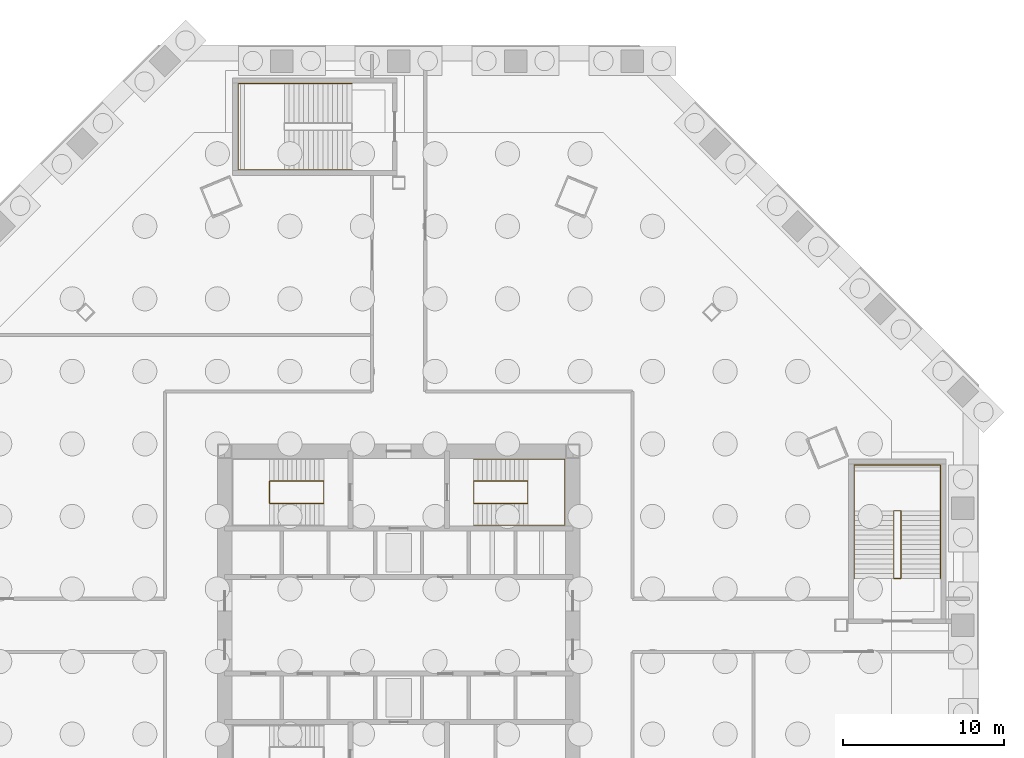
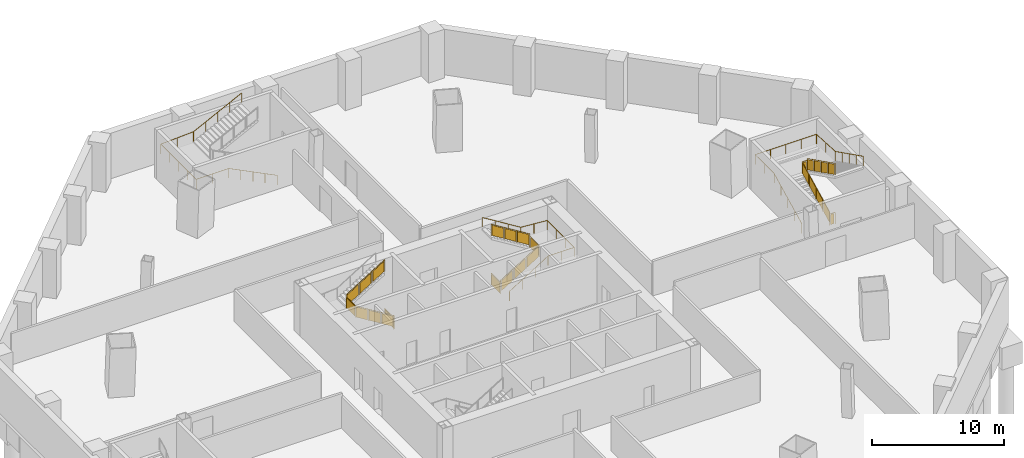
# One storey, part 9 of 11: 6 railings.
"""IFC4 building model written with IfcOpenShell, lengths in metres."""

from ifc_helpers import new_model, si_unit, direction, frame, origin, origin_2d, place, context, subcontext, project, spatial, polyline, circle, outline, extrude, material, type_object, element, save


model = new_model("IFC4")

# Units and contexts
model_context = context("Model", 3, precision=1e-05, world=origin(), true_north=direction((0.0, 1.0)))
body_context = subcontext(model_context, "Body", "Model", "MODEL_VIEW")
ifc_project = project(units=[si_unit("LENGTHUNIT", "METRE"), si_unit("AREAUNIT", "SQUARE_METRE"), si_unit("VOLUMEUNIT", "CUBIC_METRE"), si_unit("PLANEANGLEUNIT", "RADIAN"), si_unit("MASSUNIT", "GRAM", prefix="KILO")], contexts=[model_context])

# Site, building, storey
site_placement = place(None, origin())
site = spatial("IfcSite", under=ifc_project, at=site_placement, CompositionType="ELEMENT")
building_placement = place(site_placement, origin())
building = spatial("IfcBuilding", under=site, at=building_placement, Name="Mashrafa Tower", CompositionType="ELEMENT")
storey_placement = place(building_placement, frame((0.0, 0.0, -9.0)))
storey = spatial("IfcBuildingStorey", under=building, at=storey_placement, Name="B2", CompositionType="ELEMENT", Elevation=-9.0)

# Railings
ifc_material_1 = material(Name="Steel guard with glass infill", Category="steel")
railing_type_1 = type_object("IfcRailingType", Name="Stair guard 1100", PredefinedType="GUARDRAIL", material=ifc_material_1)
railing_1_placement = place(storey_placement, frame((-4.64990234375, 8.949951171875, 0.0)))
element("IfcRailing", 1, at=railing_1_placement, inside=storey, type_object=railing_type_1, Name="Stair S1 guard B2", PredefinedType="GUARDRAIL", context=body_context, shape_type="SweptSolid", body=[
    extrude(circle(Radius=0.02392578125, at=origin_2d()), frame((0.0, 0.0, 1.076171875), z_axis=(0.0, -1.0, 0.0), x_axis=(1.0, 0.0, 0.0)), (0.0, 0.0, 1.0), 1.39990234375),
    extrude(circle(Radius=0.02392578125, at=origin_2d()), frame((0.0, -1.39990234375, 1.076171875), z_axis=(0.0, 0.0, 1.0), x_axis=(1.0, 0.0, 0.0)), (0.0, 0.0, 1.0), 0.173095703125),
    extrude(circle(Radius=0.02392578125, at=origin_2d()), frame((0.0, -1.39990234375, 1.2490234375), z_axis=(-0.850623216509, 0.0, 0.525775754039), x_axis=(0.0, -1.0, 0.0)), (0.0, 0.0, 1.0), 3.9501953125),
    extrude(circle(Radius=0.02392578125, at=origin_2d()), frame((-3.360107421875, -1.39990234375, 3.326171875), z_axis=(0.0, 1.0, 0.0), x_axis=(-1.0, 0.0, 0.0)), (0.0, 0.0, 1.0), 1.39990234375),
    extrude(circle(Radius=0.02392578125, at=origin_2d()), frame((-3.360107421875, 0.0, 3.326171875), z_axis=(0.0, 0.0, 1.0), x_axis=(1.0, 0.0, 0.0)), (0.0, 0.0, 1.0), 0.173095703125),
    extrude(circle(Radius=0.02392578125, at=origin_2d()), frame((-3.360107421875, 0.0, 3.4990234375), z_axis=(0.850623216509, 0.0, 0.525775754039), x_axis=(0.0, 1.0, 0.0)), (0.0, 0.0, 1.0), 3.9501953125),
    extrude(circle(Radius=0.02099609375, at=origin_2d()), origin(), (0.0, 0.0, 1.0), 1.052001953125),
    extrude(circle(Radius=0.02099609375, at=origin_2d()), frame((0.0, -1.39990234375, 0.0)), (0.0, 0.0, 1.0), 1.052001953125),
    extrude(circle(Radius=0.02099609375, at=origin_2d()), frame((0.0, -1.39990234375, 0.173095703125)), (0.0, 0.0, 1.0), 1.052001953125),
    extrude(circle(Radius=0.02099609375, at=origin_2d()), frame((-1.1201171875, -1.39990234375, 0.865478515625)), (0.0, 0.0, 1.0), 1.052001953125),
    extrude(circle(Radius=0.02099609375, at=origin_2d()), frame((-2.239990234375, -1.39990234375, 1.5576171875)), (0.0, 0.0, 1.0), 1.052001953125),
    extrude(circle(Radius=0.02099609375, at=origin_2d()), frame((-3.360107421875, -1.39990234375, 2.25)), (0.0, 0.0, 1.0), 1.052001953125),
    extrude(circle(Radius=0.02099609375, at=origin_2d()), frame((-3.360107421875, 0.0, 2.25)), (0.0, 0.0, 1.0), 1.052001953125),
    extrude(circle(Radius=0.02099609375, at=origin_2d()), frame((-3.360107421875, 0.0, 2.423095703125)), (0.0, 0.0, 1.0), 1.052001953125),
    extrude(circle(Radius=0.02099609375, at=origin_2d()), frame((-2.239990234375, 0.0, 3.115478515625)), (0.0, 0.0, 1.0), 1.052001953125),
    extrude(circle(Radius=0.02099609375, at=origin_2d()), frame((-1.1201171875, 0.0, 3.8076171875)), (0.0, 0.0, 1.0), 1.052001953125),
    extrude(circle(Radius=0.02099609375, at=origin_2d()), frame((0.0, 0.0, 4.5)), (0.0, 0.0, 1.0), 1.052001953125),
    extrude(outline(polyline([(0.071044921875, 0.050048828125), (1.328857421875, 0.050048828125), (1.328857421875, 1.001953125), (0.071044921875, 1.001953125), (0.071044921875, 0.050048828125)])), frame((-0.006103515625, 0.0, 0.0), z_axis=(-1.0, 0.0, 0.0), x_axis=(0.0, -1.0, 0.0)), (0.0, 0.0, 1.0), 0.011962890625),
    extrude(outline(polyline([(0.071044921875, 0.093994140625), (1.049072265625, 0.698486328125), (1.049072265625, 1.650390625), (0.071044921875, 1.0458984375), (0.071044921875, 0.093994140625)])), frame((0.0, -1.393798828125, 0.173095703125), z_axis=(0.0, 1.0, 0.0), x_axis=(-1.0, 0.0, 0.0)), (0.0, 0.0, 1.0), 0.011962890625),
    extrude(outline(polyline([(1.19091796875, 0.7861328125), (2.169189453125, 1.390625), (2.169189453125, 2.3427734375), (1.19091796875, 1.73828125), (1.19091796875, 0.7861328125)])), frame((0.0, -1.393798828125, 0.173095703125), z_axis=(0.0, 1.0, 0.0), x_axis=(-1.0, 0.0, 0.0)), (0.0, 0.0, 1.0), 0.011962890625),
    extrude(outline(polyline([(2.31103515625, 1.478515625), (3.2890625, 2.0830078125), (3.2890625, 3.034912109375), (2.31103515625, 2.430419921875), (2.31103515625, 1.478515625)])), frame((0.0, -1.393798828125, 0.173095703125), z_axis=(0.0, 1.0, 0.0), x_axis=(-1.0, 0.0, 0.0)), (0.0, 0.0, 1.0), 0.011962890625),
    extrude(outline(polyline([(0.071044921875, 0.050048828125), (1.328857421875, 0.050048828125), (1.328857421875, 1.001953125), (0.071044921875, 1.001953125), (0.071044921875, 0.050048828125)])), frame((-3.35400390625, -1.39990234375, 2.25), z_axis=(1.0, 0.0, 0.0), x_axis=(0.0, 1.0, 0.0)), (0.0, 0.0, 1.0), 0.011962890625),
    extrude(outline(polyline([(0.071044921875, 0.093994140625), (1.049072265625, 0.698486328125), (1.049072265625, 1.650390625), (0.071044921875, 1.0458984375), (0.071044921875, 0.093994140625)])), frame((-3.360107421875, -0.006103515625, 2.423095703125), z_axis=(0.0, -1.0, 0.0), x_axis=(1.0, 0.0, 0.0)), (0.0, 0.0, 1.0), 0.011962890625),
    extrude(outline(polyline([(1.19091796875, 0.7861328125), (2.169189453125, 1.390625), (2.169189453125, 2.3427734375), (1.19091796875, 1.73828125), (1.19091796875, 0.7861328125)])), frame((-3.360107421875, -0.006103515625, 2.423095703125), z_axis=(0.0, -1.0, 0.0), x_axis=(1.0, 0.0, 0.0)), (0.0, 0.0, 1.0), 0.011962890625),
    extrude(outline(polyline([(2.31103515625, 1.478515625), (3.2890625, 2.0830078125), (3.2890625, 3.034912109375), (2.31103515625, 2.430419921875), (2.31103515625, 1.478515625)])), frame((-3.360107421875, -0.006103515625, 2.423095703125), z_axis=(0.0, -1.0, 0.0), x_axis=(1.0, 0.0, 0.0)), (0.0, 0.0, 1.0), 0.011962890625),
])
railing_2_placement = place(storey_placement, frame((4.64990234375, 8.949951171875, 0.0)))
element("IfcRailing", 2, at=railing_2_placement, inside=storey, type_object=railing_type_1, Name="Stair S2 guard B2", PredefinedType="GUARDRAIL", context=body_context, shape_type="SweptSolid", body=[
    extrude(circle(Radius=0.02392578125, at=origin_2d()), frame((0.0, 0.0, 1.076171875), z_axis=(0.0, -1.0, 0.0), x_axis=(1.0, 0.0, 0.0)), (0.0, 0.0, 1.0), 1.39990234375),
    extrude(circle(Radius=0.02392578125, at=origin_2d()), frame((0.0, -1.39990234375, 1.076171875), z_axis=(0.0, 0.0, 1.0), x_axis=(1.0, 0.0, 0.0)), (0.0, 0.0, 1.0), 0.173095703125),
    extrude(circle(Radius=0.02392578125, at=origin_2d()), frame((0.0, -1.39990234375, 1.2490234375), z_axis=(0.850623216509, 0.0, 0.525775754039), x_axis=(0.0, 1.0, 0.0)), (0.0, 0.0, 1.0), 3.9501953125),
    extrude(circle(Radius=0.02392578125, at=origin_2d()), frame((3.360107421875, -1.39990234375, 3.326171875), z_axis=(0.0, 1.0, 0.0), x_axis=(-1.0, 0.0, 0.0)), (0.0, 0.0, 1.0), 1.39990234375),
    extrude(circle(Radius=0.02392578125, at=origin_2d()), frame((3.360107421875, 0.0, 3.326171875), z_axis=(0.0, 0.0, 1.0), x_axis=(1.0, 0.0, 0.0)), (0.0, 0.0, 1.0), 0.173095703125),
    extrude(circle(Radius=0.02392578125, at=origin_2d()), frame((3.360107421875, 0.0, 3.4990234375), z_axis=(-0.850623216509, 0.0, 0.525775754039), x_axis=(0.0, -1.0, 0.0)), (0.0, 0.0, 1.0), 3.9501953125),
    extrude(circle(Radius=0.02099609375, at=origin_2d()), origin(), (0.0, 0.0, 1.0), 1.052001953125),
    extrude(circle(Radius=0.02099609375, at=origin_2d()), frame((0.0, -1.39990234375, 0.0)), (0.0, 0.0, 1.0), 1.052001953125),
    extrude(circle(Radius=0.02099609375, at=origin_2d()), frame((0.0, -1.39990234375, 0.173095703125)), (0.0, 0.0, 1.0), 1.052001953125),
    extrude(circle(Radius=0.02099609375, at=origin_2d()), frame((1.1201171875, -1.39990234375, 0.865478515625)), (0.0, 0.0, 1.0), 1.052001953125),
    extrude(circle(Radius=0.02099609375, at=origin_2d()), frame((2.239990234375, -1.39990234375, 1.5576171875)), (0.0, 0.0, 1.0), 1.052001953125),
    extrude(circle(Radius=0.02099609375, at=origin_2d()), frame((3.360107421875, -1.39990234375, 2.25)), (0.0, 0.0, 1.0), 1.052001953125),
    extrude(circle(Radius=0.02099609375, at=origin_2d()), frame((3.360107421875, 0.0, 2.25)), (0.0, 0.0, 1.0), 1.052001953125),
    extrude(circle(Radius=0.02099609375, at=origin_2d()), frame((3.360107421875, 0.0, 2.423095703125)), (0.0, 0.0, 1.0), 1.052001953125),
    extrude(circle(Radius=0.02099609375, at=origin_2d()), frame((2.239990234375, 0.0, 3.115478515625)), (0.0, 0.0, 1.0), 1.052001953125),
    extrude(circle(Radius=0.02099609375, at=origin_2d()), frame((1.1201171875, 0.0, 3.8076171875)), (0.0, 0.0, 1.0), 1.052001953125),
    extrude(circle(Radius=0.02099609375, at=origin_2d()), frame((0.0, 0.0, 4.5)), (0.0, 0.0, 1.0), 1.052001953125),
    extrude(outline(polyline([(0.071044921875, 0.050048828125), (1.328857421875, 0.050048828125), (1.328857421875, 1.001953125), (0.071044921875, 1.001953125), (0.071044921875, 0.050048828125)])), frame((-0.006103515625, 0.0, 0.0), z_axis=(-1.0, 0.0, 0.0), x_axis=(0.0, -1.0, 0.0)), (0.0, 0.0, 1.0), 0.011962890625),
    extrude(outline(polyline([(0.071044921875, 0.093994140625), (1.049072265625, 0.698486328125), (1.049072265625, 1.650390625), (0.071044921875, 1.0458984375), (0.071044921875, 0.093994140625)])), frame((0.0, -1.406005859375, 0.173095703125), z_axis=(0.0, -1.0, 0.0), x_axis=(1.0, 0.0, 0.0)), (0.0, 0.0, 1.0), 0.011962890625),
    extrude(outline(polyline([(1.19091796875, 0.7861328125), (2.169189453125, 1.390625), (2.169189453125, 2.3427734375), (1.19091796875, 1.73828125), (1.19091796875, 0.7861328125)])), frame((0.0, -1.406005859375, 0.173095703125), z_axis=(0.0, -1.0, 0.0), x_axis=(1.0, 0.0, 0.0)), (0.0, 0.0, 1.0), 0.011962890625),
    extrude(outline(polyline([(2.31103515625, 1.478515625), (3.2890625, 2.0830078125), (3.2890625, 3.034912109375), (2.31103515625, 2.430419921875), (2.31103515625, 1.478515625)])), frame((0.0, -1.406005859375, 0.173095703125), z_axis=(0.0, -1.0, 0.0), x_axis=(1.0, 0.0, 0.0)), (0.0, 0.0, 1.0), 0.011962890625),
    extrude(outline(polyline([(0.071044921875, 0.050048828125), (1.328857421875, 0.050048828125), (1.328857421875, 1.001953125), (0.071044921875, 1.001953125), (0.071044921875, 0.050048828125)])), frame((3.3662109375, -1.39990234375, 2.25), z_axis=(1.0, 0.0, 0.0), x_axis=(0.0, 1.0, 0.0)), (0.0, 0.0, 1.0), 0.011962890625),
    extrude(outline(polyline([(0.071044921875, 0.093994140625), (1.049072265625, 0.698486328125), (1.049072265625, 1.650390625), (0.071044921875, 1.0458984375), (0.071044921875, 0.093994140625)])), frame((3.360107421875, 0.006103515625, 2.423095703125), z_axis=(0.0, 1.0, 0.0), x_axis=(-1.0, 0.0, 0.0)), (0.0, 0.0, 1.0), 0.011962890625),
    extrude(outline(polyline([(1.19091796875, 0.7861328125), (2.169189453125, 1.390625), (2.169189453125, 2.3427734375), (1.19091796875, 1.73828125), (1.19091796875, 0.7861328125)])), frame((3.360107421875, 0.006103515625, 2.423095703125), z_axis=(0.0, 1.0, 0.0), x_axis=(-1.0, 0.0, 0.0)), (0.0, 0.0, 1.0), 0.011962890625),
    extrude(outline(polyline([(2.31103515625, 1.478515625), (3.2890625, 2.0830078125), (3.2890625, 3.034912109375), (2.31103515625, 2.430419921875), (2.31103515625, 1.478515625)])), frame((3.360107421875, 0.006103515625, 2.423095703125), z_axis=(0.0, 1.0, 0.0), x_axis=(-1.0, 0.0, 0.0)), (0.0, 0.0, 1.0), 0.011962890625),
])
railing_3_placement = place(storey_placement, frame((31.14990234375, 2.89990234375, 0.0)))
element("IfcRailing", 3, at=railing_3_placement, inside=storey, type_object=railing_type_1, Name="Stair P1 guard B2", PredefinedType="GUARDRAIL", context=body_context, shape_type="SweptSolid", body=[
    extrude(circle(Radius=0.02392578125, at=origin_2d()), frame((0.0, 0.0, 1.076171875), z_axis=(-1.0, 0.0, 0.0), x_axis=(0.0, -1.0, 0.0)), (0.0, 0.0, 1.0), 0.449951171875),
    extrude(circle(Radius=0.02392578125, at=origin_2d()), frame((-0.449951171875, 0.0, 1.076171875), z_axis=(0.0, 0.0, 1.0), x_axis=(1.0, 0.0, 0.0)), (0.0, 0.0, 1.0), 0.14990234375),
    extrude(circle(Radius=0.02392578125, at=origin_2d()), frame((-0.449951171875, 0.0, 1.22607421875), z_axis=(0.0, 0.894427191, 0.4472135955), x_axis=(-1.0, 0.0, 0.0)), (0.0, 0.0, 1.0), 4.696044921875),
    extrude(circle(Radius=0.02392578125, at=origin_2d()), frame((-0.449951171875, 4.2001953125, 3.326171875), z_axis=(1.0, 0.0, 0.0), x_axis=(0.0, 1.0, 0.0)), (0.0, 0.0, 1.0), 0.449951171875),
    extrude(circle(Radius=0.02392578125, at=origin_2d()), frame((0.0, 4.2001953125, 3.326171875), z_axis=(0.0, 0.0, 1.0), x_axis=(1.0, 0.0, 0.0)), (0.0, 0.0, 1.0), 0.14990234375),
    extrude(circle(Radius=0.02392578125, at=origin_2d()), frame((0.0, 4.2001953125, 3.47607421875), z_axis=(0.0, -0.894427191, 0.4472135955), x_axis=(1.0, 0.0, 0.0)), (0.0, 0.0, 1.0), 4.696044921875),
    extrude(circle(Radius=0.02099609375, at=origin_2d()), origin(), (0.0, 0.0, 1.0), 1.052001953125),
    extrude(circle(Radius=0.02099609375, at=origin_2d()), frame((-0.449951171875, 0.0, 0.0)), (0.0, 0.0, 1.0), 1.052001953125),
    extrude(circle(Radius=0.02099609375, at=origin_2d()), frame((-0.449951171875, 0.0, 0.14990234375)), (0.0, 0.0, 1.0), 1.052001953125),
    extrude(circle(Radius=0.02099609375, at=origin_2d()), frame((-0.449951171875, 1.050048828125, 0.6748046875)), (0.0, 0.0, 1.0), 1.052001953125),
    extrude(circle(Radius=0.02099609375, at=origin_2d()), frame((-0.449951171875, 2.10009765625, 1.199951171875)), (0.0, 0.0, 1.0), 1.052001953125),
    extrude(circle(Radius=0.02099609375, at=origin_2d()), frame((-0.449951171875, 3.150146484375, 1.72509765625)), (0.0, 0.0, 1.0), 1.052001953125),
    extrude(circle(Radius=0.02099609375, at=origin_2d()), frame((-0.449951171875, 4.2001953125, 2.25)), (0.0, 0.0, 1.0), 1.052001953125),
    extrude(circle(Radius=0.02099609375, at=origin_2d()), frame((0.0, 4.2001953125, 2.25)), (0.0, 0.0, 1.0), 1.052001953125),
    extrude(circle(Radius=0.02099609375, at=origin_2d()), frame((0.0, 4.2001953125, 2.39990234375)), (0.0, 0.0, 1.0), 1.052001953125),
    extrude(circle(Radius=0.02099609375, at=origin_2d()), frame((0.0, 3.150146484375, 2.9248046875)), (0.0, 0.0, 1.0), 1.052001953125),
    extrude(circle(Radius=0.02099609375, at=origin_2d()), frame((0.0, 2.10009765625, 3.449951171875)), (0.0, 0.0, 1.0), 1.052001953125),
    extrude(circle(Radius=0.02099609375, at=origin_2d()), frame((0.0, 1.050048828125, 3.97509765625)), (0.0, 0.0, 1.0), 1.052001953125),
    extrude(circle(Radius=0.02099609375, at=origin_2d()), frame((0.0, 0.0, 4.5)), (0.0, 0.0, 1.0), 1.052001953125),
    extrude(outline(polyline([(0.071044921875, 0.050048828125), (0.37890625, 0.050048828125), (0.37890625, 1.001953125), (0.071044921875, 1.001953125), (0.071044921875, 0.050048828125)])), frame((0.0, 0.006103515625, 0.0), z_axis=(0.0, 1.0, 0.0), x_axis=(-1.0, 0.0, 0.0)), (0.0, 0.0, 1.0), 0.011962890625),
    extrude(outline(polyline([(0.071044921875, 0.08544921875), (0.97900390625, 0.53955078125), (0.97900390625, 1.491455078125), (0.071044921875, 1.03759765625), (0.071044921875, 0.08544921875)])), frame((-0.44384765625, 0.0, 0.14990234375), z_axis=(1.0, 0.0, 0.0), x_axis=(0.0, 1.0, 0.0)), (0.0, 0.0, 1.0), 0.011962890625),
    extrude(outline(polyline([(1.12109375, 0.610595703125), (2.029052734375, 1.064453125), (2.029052734375, 2.0166015625), (1.12109375, 1.5625), (1.12109375, 0.610595703125)])), frame((-0.44384765625, 0.0, 0.14990234375), z_axis=(1.0, 0.0, 0.0), x_axis=(0.0, 1.0, 0.0)), (0.0, 0.0, 1.0), 0.011962890625),
    extrude(outline(polyline([(2.171142578125, 1.135498046875), (3.0791015625, 1.589599609375), (3.0791015625, 2.54150390625), (2.171142578125, 2.087646484375), (2.171142578125, 1.135498046875)])), frame((-0.44384765625, 0.0, 0.14990234375), z_axis=(1.0, 0.0, 0.0), x_axis=(0.0, 1.0, 0.0)), (0.0, 0.0, 1.0), 0.011962890625),
    extrude(outline(polyline([(3.22119140625, 1.66064453125), (4.129150390625, 2.114501953125), (4.129150390625, 3.066650390625), (3.22119140625, 2.612548828125), (3.22119140625, 1.66064453125)])), frame((-0.44384765625, 0.0, 0.14990234375), z_axis=(1.0, 0.0, 0.0), x_axis=(0.0, 1.0, 0.0)), (0.0, 0.0, 1.0), 0.011962890625),
    extrude(outline(polyline([(0.071044921875, 0.050048828125), (0.37890625, 0.050048828125), (0.37890625, 1.001953125), (0.071044921875, 1.001953125), (0.071044921875, 0.050048828125)])), frame((-0.449951171875, 4.194091796875, 2.25), z_axis=(0.0, -1.0, 0.0), x_axis=(1.0, 0.0, 0.0)), (0.0, 0.0, 1.0), 0.011962890625),
    extrude(outline(polyline([(0.071044921875, 0.08544921875), (0.97900390625, 0.53955078125), (0.97900390625, 1.491455078125), (0.071044921875, 1.03759765625), (0.071044921875, 0.08544921875)])), frame((-0.006103515625, 4.2001953125, 2.39990234375), z_axis=(-1.0, 0.0, 0.0), x_axis=(0.0, -1.0, 0.0)), (0.0, 0.0, 1.0), 0.011962890625),
    extrude(outline(polyline([(1.12109375, 0.610595703125), (2.029052734375, 1.064453125), (2.029052734375, 2.0166015625), (1.12109375, 1.5625), (1.12109375, 0.610595703125)])), frame((-0.006103515625, 4.2001953125, 2.39990234375), z_axis=(-1.0, 0.0, 0.0), x_axis=(0.0, -1.0, 0.0)), (0.0, 0.0, 1.0), 0.011962890625),
    extrude(outline(polyline([(2.171142578125, 1.135498046875), (3.0791015625, 1.589599609375), (3.0791015625, 2.54150390625), (2.171142578125, 2.087646484375), (2.171142578125, 1.135498046875)])), frame((-0.006103515625, 4.2001953125, 2.39990234375), z_axis=(-1.0, 0.0, 0.0), x_axis=(0.0, -1.0, 0.0)), (0.0, 0.0, 1.0), 0.011962890625),
    extrude(outline(polyline([(3.22119140625, 1.66064453125), (4.129150390625, 2.114501953125), (4.129150390625, 3.066650390625), (3.22119140625, 2.612548828125), (3.22119140625, 1.66064453125)])), frame((-0.006103515625, 4.2001953125, 2.39990234375), z_axis=(-1.0, 0.0, 0.0), x_axis=(0.0, -1.0, 0.0)), (0.0, 0.0, 1.0), 0.011962890625),
])
ifc_material_2 = material(Name="Steel", Category="steel")
railing_type_2 = type_object("IfcRailingType", Name="Stair handrail 900", PredefinedType="HANDRAIL", material=ifc_material_2)
railing_4_placement = place(storey_placement, frame((4.64990234375, 6.199951171875, 0.173095703125)))
element("IfcRailing", 4, at=railing_4_placement, inside=storey, type_object=railing_type_2, Name="Stair S2 handrail B2", PredefinedType="HANDRAIL", context=body_context, shape_type="SweptSolid", body=[
    extrude(circle(Radius=0.02392578125, at=origin_2d()), frame((0.0, 0.0, 0.8759765625), z_axis=(0.850623216509, 0.0, 0.525775754039), x_axis=(0.0, 1.0, 0.0)), (0.0, 0.0, 1.0), 3.9501953125),
    extrude(circle(Radius=0.02392578125, at=origin_2d()), frame((3.360107421875, 0.0, 2.95263671875), z_axis=(1.0, 0.0, 0.0), x_axis=(0.0, 1.0, 0.0)), (0.0, 0.0, 1.0), 2.2900390625),
    extrude(circle(Radius=0.02392578125, at=origin_2d()), frame((5.650146484375, 0.0, 2.95263671875), z_axis=(0.0, 1.0, 0.0), x_axis=(-1.0, 0.0, 0.0)), (0.0, 0.0, 1.0), 4.10009765625),
    extrude(circle(Radius=0.02392578125, at=origin_2d()), frame((5.650146484375, 4.10009765625, 2.95263671875), z_axis=(-0.99715553422, 0.0, 0.075371351147), x_axis=(0.0, -1.0, 0.0)), (0.0, 0.0, 1.0), 2.296630859375),
    extrude(circle(Radius=0.02392578125, at=origin_2d()), frame((3.360107421875, 4.10009765625, 3.1259765625), z_axis=(-0.850623216509, 0.0, 0.525775754039), x_axis=(0.0, -1.0, 0.0)), (0.0, 0.0, 1.0), 3.9501953125),
    extrude(circle(Radius=0.02099609375, at=origin_2d()), origin(), (0.0, 0.0, 1.0), 0.851806640625),
    extrude(circle(Radius=0.02099609375, at=origin_2d()), frame((1.1201171875, 0.0, 0.6923828125)), (0.0, 0.0, 1.0), 0.851806640625),
    extrude(circle(Radius=0.02099609375, at=origin_2d()), frame((2.239990234375, 0.0, 1.384521484375)), (0.0, 0.0, 1.0), 0.851806640625),
    extrude(circle(Radius=0.02099609375, at=origin_2d()), frame((3.360107421875, 0.0, 2.076904296875)), (0.0, 0.0, 1.0), 0.851806640625),
    extrude(circle(Radius=0.02099609375, at=origin_2d()), frame((4.505126953125, 0.0, 2.076904296875)), (0.0, 0.0, 1.0), 0.851806640625),
    extrude(circle(Radius=0.02099609375, at=origin_2d()), frame((5.650146484375, 0.0, 2.076904296875)), (0.0, 0.0, 1.0), 0.851806640625),
    extrude(circle(Radius=0.02099609375, at=origin_2d()), frame((5.650146484375, 1.36669921875, 2.076904296875)), (0.0, 0.0, 1.0), 0.851806640625),
    extrude(circle(Radius=0.02099609375, at=origin_2d()), frame((5.650146484375, 2.7333984375, 2.076904296875)), (0.0, 0.0, 1.0), 0.851806640625),
    extrude(circle(Radius=0.02099609375, at=origin_2d()), frame((5.650146484375, 4.10009765625, 2.076904296875)), (0.0, 0.0, 1.0), 0.851806640625),
    extrude(circle(Radius=0.02099609375, at=origin_2d()), frame((4.505126953125, 4.10009765625, 2.16357421875)), (0.0, 0.0, 1.0), 0.851806640625),
    extrude(circle(Radius=0.02099609375, at=origin_2d()), frame((3.360107421875, 4.10009765625, 2.25)), (0.0, 0.0, 1.0), 0.851806640625),
    extrude(circle(Radius=0.02099609375, at=origin_2d()), frame((2.239990234375, 4.10009765625, 2.9423828125)), (0.0, 0.0, 1.0), 0.851806640625),
    extrude(circle(Radius=0.02099609375, at=origin_2d()), frame((1.1201171875, 4.10009765625, 3.634521484375)), (0.0, 0.0, 1.0), 0.851806640625),
    extrude(circle(Radius=0.02099609375, at=origin_2d()), frame((0.0, 4.10009765625, 4.326904296875)), (0.0, 0.0, 1.0), 0.851806640625),
])
railing_5_placement = place(storey_placement, frame((28.25, 2.89990234375, 0.14990234375)))
element("IfcRailing", 5, at=railing_5_placement, inside=storey, type_object=railing_type_2, Name="Stair P1 handrail B2", PredefinedType="HANDRAIL", context=body_context, shape_type="SweptSolid", body=[
    extrude(circle(Radius=0.02392578125, at=origin_2d()), frame((0.0, 0.0, 0.8759765625), z_axis=(0.0, 0.894427191, 0.4472135955), x_axis=(-1.0, 0.0, 0.0)), (0.0, 0.0, 1.0), 4.696044921875),
    extrude(circle(Radius=0.02392578125, at=origin_2d()), frame((0.0, 4.2001953125, 2.97607421875), z_axis=(0.0, 1.0, 0.0), x_axis=(-1.0, 0.0, 0.0)), (0.0, 0.0, 1.0), 2.849853515625),
    extrude(circle(Radius=0.02392578125, at=origin_2d()), frame((0.0, 7.050048828125, 2.97607421875), z_axis=(1.0, 0.0, 0.0), x_axis=(0.0, 1.0, 0.0)), (0.0, 0.0, 1.0), 5.35009765625),
    extrude(circle(Radius=0.02392578125, at=origin_2d()), frame((5.35009765625, 7.050048828125, 2.97607421875), z_axis=(0.0, -0.99861948311, 0.052527401922), x_axis=(1.0, 0.0, 0.0)), (0.0, 0.0, 1.0), 2.853759765625),
    extrude(circle(Radius=0.02392578125, at=origin_2d()), frame((5.35009765625, 4.2001953125, 3.1259765625), z_axis=(0.0, -0.894427191, 0.4472135955), x_axis=(1.0, 0.0, 0.0)), (0.0, 0.0, 1.0), 4.696044921875),
    extrude(circle(Radius=0.02099609375, at=origin_2d()), origin(), (0.0, 0.0, 1.0), 0.851806640625),
    extrude(circle(Radius=0.02099609375, at=origin_2d()), frame((0.0, 1.050048828125, 0.52490234375)), (0.0, 0.0, 1.0), 0.851806640625),
    extrude(circle(Radius=0.02099609375, at=origin_2d()), frame((0.0, 2.10009765625, 1.050048828125)), (0.0, 0.0, 1.0), 0.851806640625),
    extrude(circle(Radius=0.02099609375, at=origin_2d()), frame((0.0, 3.150146484375, 1.5751953125)), (0.0, 0.0, 1.0), 0.851806640625),
    extrude(circle(Radius=0.02099609375, at=origin_2d()), frame((0.0, 4.2001953125, 2.10009765625)), (0.0, 0.0, 1.0), 0.851806640625),
    extrude(circle(Radius=0.02099609375, at=origin_2d()), frame((0.0, 5.625, 2.10009765625)), (0.0, 0.0, 1.0), 0.851806640625),
    extrude(circle(Radius=0.02099609375, at=origin_2d()), frame((0.0, 7.050048828125, 2.10009765625)), (0.0, 0.0, 1.0), 0.851806640625),
    extrude(circle(Radius=0.02099609375, at=origin_2d()), frame((1.33740234375, 7.050048828125, 2.10009765625)), (0.0, 0.0, 1.0), 0.851806640625),
    extrude(circle(Radius=0.02099609375, at=origin_2d()), frame((2.675048828125, 7.050048828125, 2.10009765625)), (0.0, 0.0, 1.0), 0.851806640625),
    extrude(circle(Radius=0.02099609375, at=origin_2d()), frame((4.0126953125, 7.050048828125, 2.10009765625)), (0.0, 0.0, 1.0), 0.851806640625),
    extrude(circle(Radius=0.02099609375, at=origin_2d()), frame((5.35009765625, 7.050048828125, 2.10009765625)), (0.0, 0.0, 1.0), 0.851806640625),
    extrude(circle(Radius=0.02099609375, at=origin_2d()), frame((5.35009765625, 5.625, 2.175048828125)), (0.0, 0.0, 1.0), 0.851806640625),
    extrude(circle(Radius=0.02099609375, at=origin_2d()), frame((5.35009765625, 4.2001953125, 2.25)), (0.0, 0.0, 1.0), 0.851806640625),
    extrude(circle(Radius=0.02099609375, at=origin_2d()), frame((5.35009765625, 3.150146484375, 2.77490234375)), (0.0, 0.0, 1.0), 0.851806640625),
    extrude(circle(Radius=0.02099609375, at=origin_2d()), frame((5.35009765625, 2.10009765625, 3.300048828125)), (0.0, 0.0, 1.0), 0.851806640625),
    extrude(circle(Radius=0.02099609375, at=origin_2d()), frame((5.35009765625, 1.050048828125, 3.8251953125)), (0.0, 0.0, 1.0), 0.851806640625),
    extrude(circle(Radius=0.02099609375, at=origin_2d()), frame((5.35009765625, 0.0, 4.35009765625)), (0.0, 0.0, 1.0), 0.851806640625),
])
railing_6_placement = place(storey_placement, frame((-2.89990234375, 28.25, 0.14990234375)))
element("IfcRailing", 6, at=railing_6_placement, inside=storey, type_object=railing_type_2, Name="Stair P2 handrail B2", PredefinedType="HANDRAIL", context=body_context, shape_type="SweptSolid", body=[
    extrude(circle(Radius=0.02392578125, at=origin_2d()), frame((0.0, 0.0, 0.8759765625), z_axis=(-0.894427191, 0.0, 0.4472135955), x_axis=(0.0, -1.0, 0.0)), (0.0, 0.0, 1.0), 4.696044921875),
    extrude(circle(Radius=0.02392578125, at=origin_2d()), frame((-4.2001953125, 0.0, 2.97607421875), z_axis=(-1.0, 0.0, 0.0), x_axis=(0.0, -1.0, 0.0)), (0.0, 0.0, 1.0), 2.849853515625),
    extrude(circle(Radius=0.02392578125, at=origin_2d()), frame((-7.050048828125, 0.0, 2.97607421875), z_axis=(0.0, 1.0, 0.0), x_axis=(-1.0, 0.0, 0.0)), (0.0, 0.0, 1.0), 5.35009765625),
    extrude(circle(Radius=0.02392578125, at=origin_2d()), frame((-7.050048828125, 5.35009765625, 2.97607421875), z_axis=(0.99861948311, 0.0, 0.052527401922), x_axis=(0.0, 1.0, 0.0)), (0.0, 0.0, 1.0), 2.853759765625),
    extrude(circle(Radius=0.02392578125, at=origin_2d()), frame((-4.2001953125, 5.35009765625, 3.1259765625), z_axis=(0.894427191, 0.0, 0.4472135955), x_axis=(0.0, 1.0, 0.0)), (0.0, 0.0, 1.0), 4.696044921875),
    extrude(circle(Radius=0.02099609375, at=origin_2d()), origin(), (0.0, 0.0, 1.0), 0.851806640625),
    extrude(circle(Radius=0.02099609375, at=origin_2d()), frame((-1.050048828125, 0.0, 0.52490234375)), (0.0, 0.0, 1.0), 0.851806640625),
    extrude(circle(Radius=0.02099609375, at=origin_2d()), frame((-2.10009765625, 0.0, 1.050048828125)), (0.0, 0.0, 1.0), 0.851806640625),
    extrude(circle(Radius=0.02099609375, at=origin_2d()), frame((-3.150146484375, 0.0, 1.5751953125)), (0.0, 0.0, 1.0), 0.851806640625),
    extrude(circle(Radius=0.02099609375, at=origin_2d()), frame((-4.2001953125, 0.0, 2.10009765625)), (0.0, 0.0, 1.0), 0.851806640625),
    extrude(circle(Radius=0.02099609375, at=origin_2d()), frame((-5.625, 0.0, 2.10009765625)), (0.0, 0.0, 1.0), 0.851806640625),
    extrude(circle(Radius=0.02099609375, at=origin_2d()), frame((-7.050048828125, 0.0, 2.10009765625)), (0.0, 0.0, 1.0), 0.851806640625),
    extrude(circle(Radius=0.02099609375, at=origin_2d()), frame((-7.050048828125, 1.33740234375, 2.10009765625)), (0.0, 0.0, 1.0), 0.851806640625),
    extrude(circle(Radius=0.02099609375, at=origin_2d()), frame((-7.050048828125, 2.675048828125, 2.10009765625)), (0.0, 0.0, 1.0), 0.851806640625),
    extrude(circle(Radius=0.02099609375, at=origin_2d()), frame((-7.050048828125, 4.0126953125, 2.10009765625)), (0.0, 0.0, 1.0), 0.851806640625),
    extrude(circle(Radius=0.02099609375, at=origin_2d()), frame((-7.050048828125, 5.35009765625, 2.10009765625)), (0.0, 0.0, 1.0), 0.851806640625),
    extrude(circle(Radius=0.02099609375, at=origin_2d()), frame((-5.625, 5.35009765625, 2.175048828125)), (0.0, 0.0, 1.0), 0.851806640625),
    extrude(circle(Radius=0.02099609375, at=origin_2d()), frame((-4.2001953125, 5.35009765625, 2.25)), (0.0, 0.0, 1.0), 0.851806640625),
    extrude(circle(Radius=0.02099609375, at=origin_2d()), frame((-3.150146484375, 5.35009765625, 2.77490234375)), (0.0, 0.0, 1.0), 0.851806640625),
    extrude(circle(Radius=0.02099609375, at=origin_2d()), frame((-2.10009765625, 5.35009765625, 3.300048828125)), (0.0, 0.0, 1.0), 0.851806640625),
    extrude(circle(Radius=0.02099609375, at=origin_2d()), frame((-1.050048828125, 5.35009765625, 3.8251953125)), (0.0, 0.0, 1.0), 0.851806640625),
    extrude(circle(Radius=0.02099609375, at=origin_2d()), frame((0.0, 5.35009765625, 4.35009765625)), (0.0, 0.0, 1.0), 0.851806640625),
])

save(model, "model.ifc")
